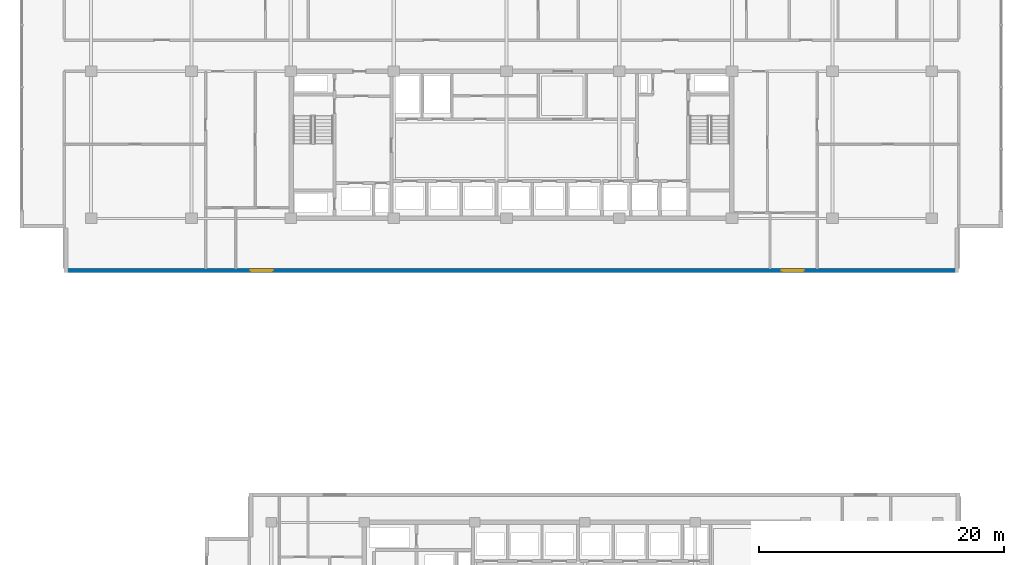
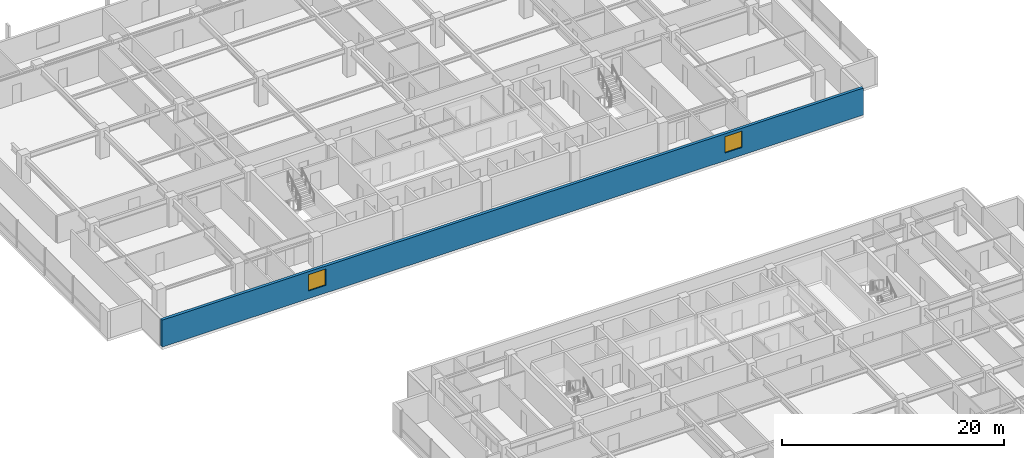
# One storey, part 25 of 38: 2 windows, 1 wall, 2 openings.
"""IFC4 building model written with IfcOpenShell, lengths in metres."""

from ifc_helpers import new_model, si_unit, direction, frame, frame_2d, origin, place, context, subcontext, project, spatial, rectangle, extrude, material, layer, layer_set, type_object, element, fill, save


model = new_model("IFC4")

# Units and contexts
model_context = context("Model", 3, precision=1e-05, world=origin(), true_north=direction((0.0, 1.0)))
body_context = subcontext(model_context, "Body", "Model", "MODEL_VIEW")
ifc_project = project(units=[si_unit("LENGTHUNIT", "METRE"), si_unit("AREAUNIT", "SQUARE_METRE"), si_unit("VOLUMEUNIT", "CUBIC_METRE"), si_unit("PLANEANGLEUNIT", "RADIAN"), si_unit("MASSUNIT", "GRAM", prefix="KILO")], contexts=[model_context])

# Site, building, storey
site_placement = place(None, origin())
site = spatial("IfcSite", under=ifc_project, at=site_placement, CompositionType="ELEMENT")
building_placement = place(site_placement, origin())
building = spatial("IfcBuilding", under=site, at=building_placement, Name="Korimba Cascade Residences", CompositionType="ELEMENT")
storey_placement = place(building_placement, frame((0.0, 0.0, 93.800048828125)))
storey = spatial("IfcBuildingStorey", under=building, at=storey_placement, Name="L26", CompositionType="ELEMENT", Elevation=93.800048828125)

# Wall, openings, windows
ifc_material_1 = material(Name="Precast concrete C40/50", Category="concrete")
ifc_layer = layer(ifc_material_1, 0.300048828125)
ifc_layer_set = layer_set([ifc_layer], Name="Precast concrete C40/50")
wall_type = type_object("IfcWallType", Name="EW-STONE-300", PredefinedType="STANDARD", material=ifc_layer_set)
wall_placement = place(storey_placement, frame((57.60009765625, 50.949951171875, 0.0), z_axis=(0.0, 0.0, 1.0), x_axis=(1.0, 0.0, 0.0)))
wall = element("IfcWall", 1, at=wall_placement, inside=storey, type_object=wall_type, Name="L26 T1 Perimeter Stone Wall E00", PredefinedType="STANDARD", context=body_context, shape_type="SweptSolid", body=[
    extrude(rectangle(XDim=73.0, YDim=0.300048828125, at=frame_2d((36.5, 0.0))), origin(), (0.0, 0.0, 1.0), 2.969970703125),
])
opening_1_placement = place(wall_placement, frame((15.22509765625, 0.0, 0.85009765625)))
opening_1 = element("IfcOpeningElement", 2, at=opening_1_placement, cuts=wall, Name="Opening W-02", PredefinedType="OPENING", context=body_context, shape_type="SweptSolid", body=[
    extrude(rectangle(XDim=1.800048828125, YDim=1.800048828125, at=frame_2d((0.89990234375, 0.89990234375))), frame((0.0, 0.16015625, 0.0), z_axis=(0.0, -1.0, 0.0), x_axis=(1.0, 0.0, 0.0)), (0.0, 0.0, 1.0), 0.320068359375),
])
opening_2_placement = place(wall_placement, frame((58.574951171875, 0.0, 0.85009765625)))
opening_2 = element("IfcOpeningElement", 3, at=opening_2_placement, cuts=wall, Name="Opening W-02", PredefinedType="OPENING", context=body_context, shape_type="SweptSolid", body=[
    extrude(rectangle(XDim=1.800048828125, YDim=1.800048828125, at=frame_2d((0.89990234375, 0.89990234375))), frame((0.0, 0.16015625, 0.0), z_axis=(0.0, -1.0, 0.0), x_axis=(1.0, 0.0, 0.0)), (0.0, 0.0, 1.0), 0.320068359375),
])
ifc_material_2 = material(Name="Double-Glazed Aluminium Window", Category="aluminium")
window_type = type_object("IfcWindowType", Name="WIN-BED-1800", PartitioningType="SINGLE_PANEL", PredefinedType="WINDOW", material=ifc_material_2)
window_1_placement = place(opening_1_placement, origin())
window_1 = element("IfcWindow", 4, at=window_1_placement, inside=storey, type_object=window_type, Name="L26 T1 South Corner Bedroom Window 1", OverallHeight=1.800048828125, OverallWidth=1.800048828125, PartitioningType="SINGLE_PANEL", PredefinedType="WINDOW", context=body_context, shape_type="SweptSolid", body=[
    extrude(rectangle(XDim=1.800048828125, YDim=1.800048828125, at=frame_2d((0.89990234375, 0.89990234375))), frame((0.0, 0.030029296875, 0.0), z_axis=(0.0, -1.0, 0.0), x_axis=(1.0, 0.0, 0.0)), (0.0, 0.0, 1.0), 0.06005859375),
])
fill(opening_1, window_1)
window_2_placement = place(opening_2_placement, origin())
window_2 = element("IfcWindow", 5, at=window_2_placement, inside=storey, type_object=window_type, Name="L26 T1 South Corner Bedroom Window 2", OverallHeight=1.800048828125, OverallWidth=1.800048828125, PartitioningType="SINGLE_PANEL", PredefinedType="WINDOW", context=body_context, shape_type="SweptSolid", body=[
    extrude(rectangle(XDim=1.800048828125, YDim=1.800048828125, at=frame_2d((0.89990234375, 0.89990234375))), frame((0.0, 0.030029296875, 0.0), z_axis=(0.0, -1.0, 0.0), x_axis=(1.0, 0.0, 0.0)), (0.0, 0.0, 1.0), 0.06005859375),
])
fill(opening_2, window_2)

save(model, "model.ifc")
